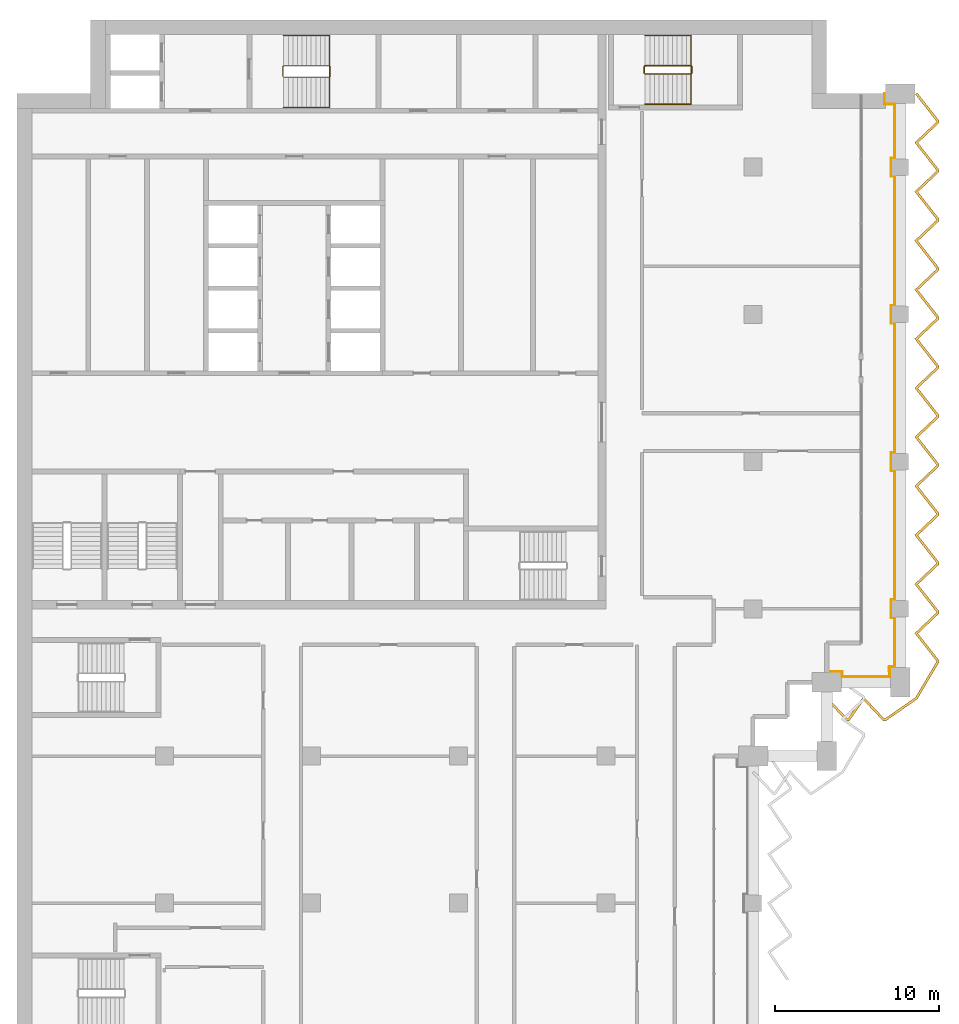
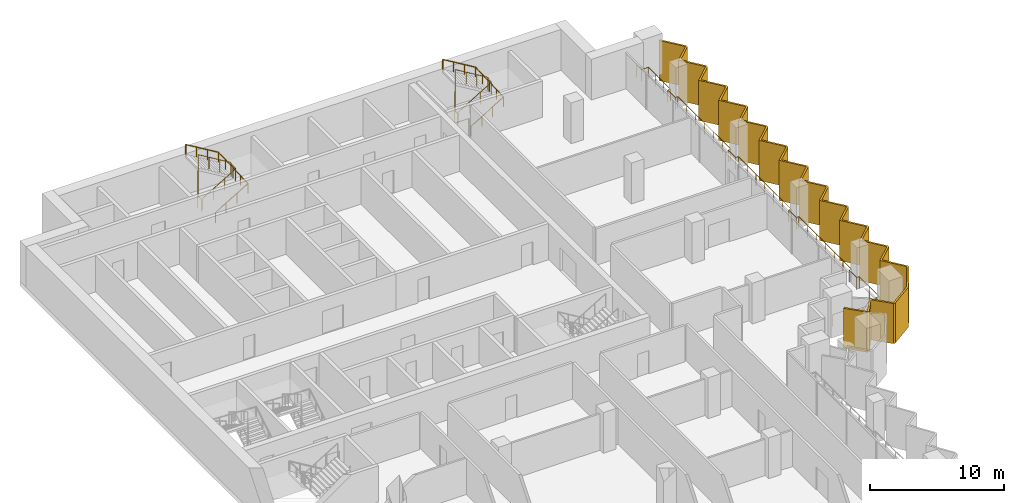
# One storey, part 19 of 19: 5 railings, 1 shading device.
"""IFC4 building model written with IfcOpenShell, lengths in metres."""

import ifcopenshell
import ifcopenshell.guid

model = None  # the IFC model being written
_history = None  # IfcOwnerHistory: only IFC2X3 demands one
_inside = {}  # id of a spatial element -> (the spatial element, [elements in it])
_under = {}  # id of a project, library or spatial element -> (it, [spatial elements below it])
_declared = {}  # id of a project -> (the project, [libraries it declares])
_typed = {}  # id of a type object -> (the type object, [elements of that type])
_made_of = {}  # id of a material, layer set ... -> (it, [elements and type objects made of it])


def new_model(schema):
    """Start an empty IFC model of exactly this schema.

    Asked for "IFC4X3", IfcOpenShell would pick the latest addendum, in which some entities
    have other attributes; the version numbers below select the first issue.
    IFC2X3 requires an IfcOwnerHistory on every rooted entity: one is made here for all.
    """
    global model, _history
    if schema == "IFC4X3":
        model = ifcopenshell.file(schema_version=(4, 3, 0, 0))
    else:
        model = ifcopenshell.file(schema=schema)
    _inside.clear()
    _under.clear()
    _declared.clear()
    _typed.clear()
    _made_of.clear()
    _history = None
    if model.schema == "IFC2X3":
        org = make("IfcOrganization", Name="unknown")
        user = make(
            "IfcPersonAndOrganization",
            ThePerson=make("IfcPerson", FamilyName="unknown"),
            TheOrganization=org,
        )
        app = make(
            "IfcApplication",
            ApplicationDeveloper=org,
            Version="unknown",
            ApplicationFullName="unknown",
            ApplicationIdentifier="unknown",
        )
        _history = make(
            "IfcOwnerHistory",
            OwningUser=user,
            OwningApplication=app,
            ChangeAction="ADDED",
            CreationDate=0,
        )
    return model


def make(cls, **values):
    """One entity of the class cls with the attributes given. An attribute that is None is left unset."""
    return model.create_entity(
        cls, **{name: value for name, value in values.items() if value is not None}
    )


def rooted(cls, **values):
    """An entity with a GlobalId (a new one), such as an element, a storey or a relation."""
    return make(cls, GlobalId=ifcopenshell.guid.new(), OwnerHistory=_history, **values)


def si_unit(unit_type, name, prefix=None):
    """IfcSIUnit, for example si_unit("LENGTHUNIT", "METRE", prefix="MILLI")."""
    return make("IfcSIUnit", UnitType=unit_type, Prefix=prefix, Name=name)


def assignment(units):
    """IfcUnitAssignment: the units of a project."""
    return None if units is None else make("IfcUnitAssignment", Units=units)


def point(xyz):
    """IfcCartesianPoint."""
    return None if xyz is None else make("IfcCartesianPoint", Coordinates=xyz)


def direction(xyz):
    """IfcDirection."""
    return None if xyz is None else make("IfcDirection", DirectionRatios=xyz)


def frame(location, z_axis=None, x_axis=None):
    """IfcAxis2Placement3D, a coordinate frame: its origin and axes. An axis left out is left unset."""
    return make(
        "IfcAxis2Placement3D",
        Location=point(location),
        Axis=direction(z_axis),
        RefDirection=direction(x_axis),
    )


def frame_2d(location, x_axis=None):
    """IfcAxis2Placement2D, a coordinate frame in the plane: its origin and x axis."""
    return make(
        "IfcAxis2Placement2D", Location=point(location), RefDirection=direction(x_axis)
    )


def origin():
    """The frame at (0, 0, 0) with its axes left unset."""
    return frame((0.0, 0.0, 0.0))


def origin_2d():
    """The frame at (0, 0) in the plane with its x axis left unset."""
    return frame_2d((0.0, 0.0))


def place(relative_to, where):
    """IfcLocalPlacement: puts the frame where relative to a parent placement (None: the world)."""
    return make(
        "IfcLocalPlacement", PlacementRelTo=relative_to, RelativePlacement=where
    )


def context(
    kind, dimensions, precision=None, world=None, true_north=None, identifier=None
):
    """IfcGeometricRepresentationContext, for example the 3D "Model" context."""
    return make(
        "IfcGeometricRepresentationContext",
        ContextIdentifier=identifier,
        ContextType=kind,
        CoordinateSpaceDimension=dimensions,
        Precision=precision,
        WorldCoordinateSystem=world,
        TrueNorth=true_north,
    )


def subcontext(parent, identifier, kind, view, scale=None):
    """IfcGeometricRepresentationSubContext, for example "Body" below "Model"."""
    return make(
        "IfcGeometricRepresentationSubContext",
        ContextIdentifier=identifier,
        ContextType=kind,
        ParentContext=parent,
        TargetScale=scale,
        TargetView=view,
    )


def project(units=None, contexts=None):
    """IfcProject with its units and contexts."""
    return rooted(
        "IfcProject",
        Name="project",
        RepresentationContexts=contexts,
        UnitsInContext=assignment(units),
    )


def spatial(cls, under=None, at=None, **own):
    """A site, building, storey or space (cls), placed at a placement, below another one or the project."""
    s = rooted(cls, ObjectPlacement=at, **own)
    if under is not None:
        _under.setdefault(under.id(), (under, []))[1].append(s)
    return s


def polyline(points):
    """IfcPolyline through the points."""
    return make("IfcPolyline", Points=[point(p) for p in points])


def profile(cls, at=None, kind="AREA", **sizes):
    """A parametric profile (cls). Its sizes go by their IFC names, for example OverallWidth=200.0."""
    return make(cls, ProfileType=kind, Position=at, **sizes)


def circle(**sizes):
    """IfcCircleProfileDef."""
    return profile("IfcCircleProfileDef", **sizes)


def outline(outer, holes=None, kind="AREA"):
    """IfcArbitraryClosedProfileDef: a profile drawn as a closed curve; with holes, ...WithVoids."""
    if holes is None:
        return make("IfcArbitraryClosedProfileDef", ProfileType=kind, OuterCurve=outer)
    return make(
        "IfcArbitraryProfileDefWithVoids",
        ProfileType=kind,
        OuterCurve=outer,
        InnerCurves=holes,
    )


def extrude(swept, where, along, depth):
    """IfcExtrudedAreaSolid: the profile swept, set in the frame where, extruded along a direction by depth."""
    return make(
        "IfcExtrudedAreaSolid",
        SweptArea=swept,
        Position=where,
        ExtrudedDirection=direction(along),
        Depth=depth,
    )


def shape(context_of_items, identifier, shape_type, items):
    """IfcShapeRepresentation: the items that make up one representation, for example the "Body"."""
    return make(
        "IfcShapeRepresentation",
        ContextOfItems=context_of_items,
        RepresentationIdentifier=identifier,
        RepresentationType=shape_type,
        Items=items,
    )


def material(Name=None, Category=None):
    """IfcMaterial."""
    return make("IfcMaterial", Name=Name, Category=Category)


def layer(
    of_material, thickness, ventilated=None, Name=None, Category=None, Priority=None
):
    """IfcMaterialLayer: one layer of a wall or slab, of a material (None: an air gap)."""
    return make(
        "IfcMaterialLayer",
        Material=of_material,
        LayerThickness=thickness,
        IsVentilated=ventilated,
        Name=Name,
        Category=Category,
        Priority=Priority,
    )


def layer_set(layers, Name=None):
    """IfcMaterialLayerSet."""
    return make("IfcMaterialLayerSet", MaterialLayers=layers, LayerSetName=Name)


def made_of(thing, what):
    """Note that an element or type object is made of a material, layer set ...; save() writes the relation."""
    if what is not None:
        _made_of.setdefault(what.id(), (what, []))[1].append(thing)
    return thing


def type_object(cls, material=None, **own):
    """A type object (cls), such as IfcWallType, which elements share."""
    return made_of(rooted(cls, **own), material)


def element(
    cls,
    number,
    at=None,
    inside=None,
    cuts=None,
    type_object=None,
    material=None,
    context=None,
    identifier="Body",
    shape_type=None,
    held_by="IfcProductDefinitionShape",
    body=None,
    shapes=None,
    **own,
):
    """One element of the class cls, such as IfcWall. Its Tag is "e" and its number.

    at: its placement. inside: the storey or other place that contains it. cuts: it is an
    opening in that element (IfcRelVoidsElement). A single representation is given by context,
    identifier, shape_type and body (its items); several are given by shapes. held_by: the class
    of the entity that holds the representations. save() writes the other relations.
    """
    e = rooted(cls, Tag="e%d" % number, ObjectPlacement=at, **own)
    if body is not None:
        shapes = [shape(context, identifier, shape_type, body)]
    if shapes is not None:
        e.Representation = make(held_by, Representations=shapes)
    if inside is not None:
        _inside.setdefault(inside.id(), (inside, []))[1].append(e)
    if cuts is not None:
        rooted(
            "IfcRelVoidsElement", RelatingBuildingElement=cuts, RelatedOpeningElement=e
        )
    if type_object is not None:
        _typed.setdefault(type_object.id(), (type_object, []))[1].append(e)
    return made_of(e, material)


def aggregate(whole, parts):
    """IfcRelAggregates: a whole, such as a stair, and the parts it consists of."""
    return rooted("IfcRelAggregates", RelatingObject=whole, RelatedObjects=parts)


def save(model, path):
    """Write the relations noted so far, then the file.

    IfcRelAggregates (storeys below a building ...), IfcRelContainedInSpatialStructure (elements
    in a storey), IfcRelDefinesByType, IfcRelAssociatesMaterial and IfcRelDeclares: one each for
    every whole, place, type object, material and project.
    """
    for whole, parts in _under.values():
        aggregate(whole, parts)
    for where, things in _inside.values():
        rooted(
            "IfcRelContainedInSpatialStructure",
            RelatedElements=things,
            RelatingStructure=where,
        )
    for kind, things in _typed.values():
        rooted("IfcRelDefinesByType", RelatedObjects=things, RelatingType=kind)
    for what, things in _made_of.values():
        rooted("IfcRelAssociatesMaterial", RelatedObjects=things, RelatingMaterial=what)
    for by, libraries in _declared.values():
        rooted("IfcRelDeclares", RelatingContext=by, RelatedDefinitions=libraries)
    model.write(path)


model = new_model("IFC4")

# Units and contexts
model_context = context("Model", 3, precision=1e-05, world=origin(), true_north=direction((0.0, 1.0)))
body_context = subcontext(model_context, "Body", "Model", "MODEL_VIEW")
ifc_project = project(units=[si_unit("LENGTHUNIT", "METRE"), si_unit("AREAUNIT", "SQUARE_METRE"), si_unit("VOLUMEUNIT", "CUBIC_METRE"), si_unit("PLANEANGLEUNIT", "RADIAN"), si_unit("MASSUNIT", "GRAM", prefix="KILO")], contexts=[model_context])

# Site, building, storey
site_placement = place(None, origin())
site = spatial("IfcSite", under=ifc_project, at=site_placement, CompositionType="ELEMENT")
building_placement = place(site_placement, origin())
building = spatial("IfcBuilding", under=site, at=building_placement, Name="Hunhe Ridgeline Campus", CompositionType="ELEMENT")
storey_placement = place(building_placement, frame((0.0, 0.0, 216.10009765625)))
storey = spatial("IfcBuildingStorey", under=building, at=storey_placement, Name="L55", CompositionType="ELEMENT", Elevation=216.10009765625)

# Railing
ifc_material_1 = material(Name="Steel Q355", Category="steel")
railing_type_1 = type_object("IfcRailingType", Name="Loggia guard 1100 Steel Q355", PredefinedType="GUARDRAIL", material=ifc_material_1)
railing_1_placement = place(storey_placement, frame((49.5, 59.169921875, 0.0)))
element("IfcRailing", 1, at=railing_1_placement, inside=storey, type_object=railing_type_1, Name="Loggia guard 2", PredefinedType="GUARDRAIL", context=body_context, shape_type="SweptSolid", body=[
    extrude(circle(Radius=0.02392578125, at=origin_2d()), frame((0.0, 0.0, 1.076171875), z_axis=(1.0, 0.0, 0.0), x_axis=(0.0, 1.0, 0.0)), (0.0, 0.0, 1.0), 0.949951171875),
    extrude(circle(Radius=0.02392578125, at=origin_2d()), frame((0.949951171875, 0.0, 1.076171875), z_axis=(0.0, -1.0, 0.0), x_axis=(1.0, 0.0, 0.0)), (0.0, 0.0, 1.0), 0.31982421875),
    extrude(circle(Radius=0.02392578125, at=origin_2d()), frame((0.949951171875, -0.31982421875, 1.076171875), z_axis=(1.0, 0.0, 0.0), x_axis=(0.0, 1.0, 0.0)), (0.0, 0.0, 1.0), 2.900146484375),
    extrude(circle(Radius=0.02392578125, at=origin_2d()), frame((3.85009765625, -0.31982421875, 1.076171875), z_axis=(0.0, 1.0, 0.0), x_axis=(-1.0, 0.0, 0.0)), (0.0, 0.0, 1.0), 0.619873046875),
    extrude(circle(Radius=0.02392578125, at=origin_2d()), frame((3.85009765625, 0.300048828125, 1.076171875), z_axis=(-0.066572895244, -0.99778156408, 0.0), x_axis=(0.99778156408, -0.066572895244, 0.0)), (0.0, 0.0, 1.0), 0.30078125),
    extrude(circle(Radius=0.02392578125, at=origin_2d()), frame((3.830078125, 0.0, 1.076171875), z_axis=(0.0, 1.0, 0.0), x_axis=(-1.0, 0.0, 0.0)), (0.0, 0.0, 1.0), 0.280029296875),
    extrude(circle(Radius=0.02392578125, at=origin_2d()), frame((3.830078125, 0.280029296875, 1.076171875), z_axis=(1.0, 0.0, 0.0), x_axis=(0.0, 1.0, 0.0)), (0.0, 0.0, 1.0), 0.31982421875),
    extrude(circle(Radius=0.02392578125, at=origin_2d()), frame((4.14990234375, 0.280029296875, 1.076171875), z_axis=(0.0, 1.0, 0.0), x_axis=(-1.0, 0.0, 0.0)), (0.0, 0.0, 1.0), 3.0),
    extrude(circle(Radius=0.02392578125, at=origin_2d()), frame((4.14990234375, 3.280029296875, 1.076171875), z_axis=(-1.0, 0.0, 0.0), x_axis=(0.0, -1.0, 0.0)), (0.0, 0.0, 1.0), 0.219970703125),
    extrude(circle(Radius=0.02392578125, at=origin_2d()), frame((3.929931640625, 3.280029296875, 1.076171875), z_axis=(0.0, 1.0, 0.0), x_axis=(-1.0, 0.0, 0.0)), (0.0, 0.0, 1.0), 1.10009765625),
    extrude(circle(Radius=0.02392578125, at=origin_2d()), frame((3.929931640625, 4.380126953125, 1.076171875), z_axis=(1.0, 0.0, 0.0), x_axis=(0.0, 1.0, 0.0)), (0.0, 0.0, 1.0), 0.219970703125),
    extrude(circle(Radius=0.02392578125, at=origin_2d()), frame((4.14990234375, 4.380126953125, 1.076171875), z_axis=(0.0, 1.0, 0.0), x_axis=(-1.0, 0.0, 0.0)), (0.0, 0.0, 1.0), 7.89990234375),
    extrude(circle(Radius=0.02392578125, at=origin_2d()), frame((4.14990234375, 12.280029296875, 1.076171875), z_axis=(-1.0, 0.0, 0.0), x_axis=(0.0, -1.0, 0.0)), (0.0, 0.0, 1.0), 0.219970703125),
    extrude(circle(Radius=0.02392578125, at=origin_2d()), frame((3.929931640625, 12.280029296875, 1.076171875), z_axis=(0.0, 1.0, 0.0), x_axis=(-1.0, 0.0, 0.0)), (0.0, 0.0, 1.0), 1.10009765625),
    extrude(circle(Radius=0.02392578125, at=origin_2d()), frame((3.929931640625, 13.380126953125, 1.076171875), z_axis=(1.0, 0.0, 0.0), x_axis=(0.0, 1.0, 0.0)), (0.0, 0.0, 1.0), 0.219970703125),
    extrude(circle(Radius=0.02392578125, at=origin_2d()), frame((4.14990234375, 13.380126953125, 1.076171875), z_axis=(0.0, 1.0, 0.0), x_axis=(-1.0, 0.0, 0.0)), (0.0, 0.0, 1.0), 7.89990234375),
    extrude(circle(Radius=0.02392578125, at=origin_2d()), frame((4.14990234375, 21.280029296875, 1.076171875), z_axis=(-1.0, 0.0, 0.0), x_axis=(0.0, -1.0, 0.0)), (0.0, 0.0, 1.0), 0.219970703125),
    extrude(circle(Radius=0.02392578125, at=origin_2d()), frame((3.929931640625, 21.280029296875, 1.076171875), z_axis=(0.0, 1.0, 0.0), x_axis=(-1.0, 0.0, 0.0)), (0.0, 0.0, 1.0), 1.10009765625),
    extrude(circle(Radius=0.02392578125, at=origin_2d()), frame((3.929931640625, 22.380126953125, 1.076171875), z_axis=(1.0, 0.0, 0.0), x_axis=(0.0, 1.0, 0.0)), (0.0, 0.0, 1.0), 0.219970703125),
    extrude(circle(Radius=0.02392578125, at=origin_2d()), frame((4.14990234375, 22.380126953125, 1.076171875), z_axis=(0.0, 1.0, 0.0), x_axis=(-1.0, 0.0, 0.0)), (0.0, 0.0, 1.0), 7.89990234375),
    extrude(circle(Radius=0.02392578125, at=origin_2d()), frame((4.14990234375, 30.280029296875, 1.076171875), z_axis=(-1.0, 0.0, 0.0), x_axis=(0.0, -1.0, 0.0)), (0.0, 0.0, 1.0), 0.219970703125),
    extrude(circle(Radius=0.02392578125, at=origin_2d()), frame((3.929931640625, 30.280029296875, 1.076171875), z_axis=(0.0, 1.0, 0.0), x_axis=(-1.0, 0.0, 0.0)), (0.0, 0.0, 1.0), 1.10009765625),
    extrude(circle(Radius=0.02392578125, at=origin_2d()), frame((3.929931640625, 31.380126953125, 1.076171875), z_axis=(1.0, 0.0, 0.0), x_axis=(0.0, 1.0, 0.0)), (0.0, 0.0, 1.0), 0.219970703125),
    extrude(circle(Radius=0.02392578125, at=origin_2d()), frame((4.14990234375, 31.380126953125, 1.076171875), z_axis=(0.0, 1.0, 0.0), x_axis=(-1.0, 0.0, 0.0)), (0.0, 0.0, 1.0), 3.300048828125),
    extrude(circle(Radius=0.02392578125, at=origin_2d()), frame((4.14990234375, 34.68017578125, 1.076171875), z_axis=(-1.0, 0.0, 0.0), x_axis=(0.0, -1.0, 0.0)), (0.0, 0.0, 1.0), 0.619873046875),
    extrude(circle(Radius=0.02392578125, at=origin_2d()), frame((3.530029296875, 34.68017578125, 1.076171875), z_axis=(0.0, 1.0, 0.0), x_axis=(-1.0, 0.0, 0.0)), (0.0, 0.0, 1.0), 0.64990234375),
    extrude(circle(Radius=0.02099609375, at=origin_2d()), origin(), (0.0, 0.0, 1.0), 1.052001953125),
    extrude(circle(Radius=0.02099609375, at=origin_2d()), frame((0.949951171875, 0.0, 0.0)), (0.0, 0.0, 1.0), 1.052001953125),
    extrude(circle(Radius=0.02099609375, at=origin_2d()), frame((0.949951171875, -0.31982421875, 0.0)), (0.0, 0.0, 1.0), 1.052001953125),
    extrude(circle(Radius=0.02099609375, at=origin_2d()), frame((2.39990234375, -0.31982421875, 0.0)), (0.0, 0.0, 1.0), 1.052001953125),
    extrude(circle(Radius=0.02099609375, at=origin_2d()), frame((3.85009765625, -0.31982421875, 0.0)), (0.0, 0.0, 1.0), 1.052001953125),
    extrude(circle(Radius=0.02099609375, at=origin_2d()), frame((3.85009765625, 0.300048828125, 0.0)), (0.0, 0.0, 1.0), 1.052001953125),
    extrude(circle(Radius=0.02099609375, at=origin_2d()), frame((3.830078125, 0.0, 0.0)), (0.0, 0.0, 1.0), 1.052001953125),
    extrude(circle(Radius=0.02099609375, at=origin_2d()), frame((3.830078125, 0.280029296875, 0.0)), (0.0, 0.0, 1.0), 1.052001953125),
    extrude(circle(Radius=0.02099609375, at=origin_2d()), frame((4.14990234375, 0.280029296875, 0.0)), (0.0, 0.0, 1.0), 1.052001953125),
    extrude(circle(Radius=0.02099609375, at=origin_2d()), frame((4.14990234375, 1.780029296875, 0.0)), (0.0, 0.0, 1.0), 1.052001953125),
    extrude(circle(Radius=0.02099609375, at=origin_2d()), frame((4.14990234375, 3.280029296875, 0.0)), (0.0, 0.0, 1.0), 1.052001953125),
    extrude(circle(Radius=0.02099609375, at=origin_2d()), frame((3.929931640625, 3.280029296875, 0.0)), (0.0, 0.0, 1.0), 1.052001953125),
    extrude(circle(Radius=0.02099609375, at=origin_2d()), frame((3.929931640625, 4.380126953125, 0.0)), (0.0, 0.0, 1.0), 1.052001953125),
    extrude(circle(Radius=0.02099609375, at=origin_2d()), frame((4.14990234375, 4.380126953125, 0.0)), (0.0, 0.0, 1.0), 1.052001953125),
    extrude(circle(Radius=0.02099609375, at=origin_2d()), frame((4.14990234375, 5.69677734375, 0.0)), (0.0, 0.0, 1.0), 1.052001953125),
    extrude(circle(Radius=0.02099609375, at=origin_2d()), frame((4.14990234375, 7.013427734375, 0.0)), (0.0, 0.0, 1.0), 1.052001953125),
    extrude(circle(Radius=0.02099609375, at=origin_2d()), frame((4.14990234375, 8.330078125, 0.0)), (0.0, 0.0, 1.0), 1.052001953125),
    extrude(circle(Radius=0.02099609375, at=origin_2d()), frame((4.14990234375, 9.646728515625, 0.0)), (0.0, 0.0, 1.0), 1.052001953125),
    extrude(circle(Radius=0.02099609375, at=origin_2d()), frame((4.14990234375, 10.96337890625, 0.0)), (0.0, 0.0, 1.0), 1.052001953125),
    extrude(circle(Radius=0.02099609375, at=origin_2d()), frame((4.14990234375, 12.280029296875, 0.0)), (0.0, 0.0, 1.0), 1.052001953125),
    extrude(circle(Radius=0.02099609375, at=origin_2d()), frame((3.929931640625, 12.280029296875, 0.0)), (0.0, 0.0, 1.0), 1.052001953125),
    extrude(circle(Radius=0.02099609375, at=origin_2d()), frame((3.929931640625, 13.380126953125, 0.0)), (0.0, 0.0, 1.0), 1.052001953125),
    extrude(circle(Radius=0.02099609375, at=origin_2d()), frame((4.14990234375, 13.380126953125, 0.0)), (0.0, 0.0, 1.0), 1.052001953125),
    extrude(circle(Radius=0.02099609375, at=origin_2d()), frame((4.14990234375, 14.69677734375, 0.0)), (0.0, 0.0, 1.0), 1.052001953125),
    extrude(circle(Radius=0.02099609375, at=origin_2d()), frame((4.14990234375, 16.013427734375, 0.0)), (0.0, 0.0, 1.0), 1.052001953125),
    extrude(circle(Radius=0.02099609375, at=origin_2d()), frame((4.14990234375, 17.330078125, 0.0)), (0.0, 0.0, 1.0), 1.052001953125),
    extrude(circle(Radius=0.02099609375, at=origin_2d()), frame((4.14990234375, 18.646728515625, 0.0)), (0.0, 0.0, 1.0), 1.052001953125),
    extrude(circle(Radius=0.02099609375, at=origin_2d()), frame((4.14990234375, 19.96337890625, 0.0)), (0.0, 0.0, 1.0), 1.052001953125),
    extrude(circle(Radius=0.02099609375, at=origin_2d()), frame((4.14990234375, 21.280029296875, 0.0)), (0.0, 0.0, 1.0), 1.052001953125),
    extrude(circle(Radius=0.02099609375, at=origin_2d()), frame((3.929931640625, 21.280029296875, 0.0)), (0.0, 0.0, 1.0), 1.052001953125),
    extrude(circle(Radius=0.02099609375, at=origin_2d()), frame((3.929931640625, 22.380126953125, 0.0)), (0.0, 0.0, 1.0), 1.052001953125),
    extrude(circle(Radius=0.02099609375, at=origin_2d()), frame((4.14990234375, 22.380126953125, 0.0)), (0.0, 0.0, 1.0), 1.052001953125),
    extrude(circle(Radius=0.02099609375, at=origin_2d()), frame((4.14990234375, 23.69677734375, 0.0)), (0.0, 0.0, 1.0), 1.052001953125),
    extrude(circle(Radius=0.02099609375, at=origin_2d()), frame((4.14990234375, 25.013427734375, 0.0)), (0.0, 0.0, 1.0), 1.052001953125),
    extrude(circle(Radius=0.02099609375, at=origin_2d()), frame((4.14990234375, 26.330078125, 0.0)), (0.0, 0.0, 1.0), 1.052001953125),
    extrude(circle(Radius=0.02099609375, at=origin_2d()), frame((4.14990234375, 27.646728515625, 0.0)), (0.0, 0.0, 1.0), 1.052001953125),
    extrude(circle(Radius=0.02099609375, at=origin_2d()), frame((4.14990234375, 28.96337890625, 0.0)), (0.0, 0.0, 1.0), 1.052001953125),
    extrude(circle(Radius=0.02099609375, at=origin_2d()), frame((4.14990234375, 30.280029296875, 0.0)), (0.0, 0.0, 1.0), 1.052001953125),
    extrude(circle(Radius=0.02099609375, at=origin_2d()), frame((3.929931640625, 30.280029296875, 0.0)), (0.0, 0.0, 1.0), 1.052001953125),
    extrude(circle(Radius=0.02099609375, at=origin_2d()), frame((3.929931640625, 31.380126953125, 0.0)), (0.0, 0.0, 1.0), 1.052001953125),
    extrude(circle(Radius=0.02099609375, at=origin_2d()), frame((4.14990234375, 31.380126953125, 0.0)), (0.0, 0.0, 1.0), 1.052001953125),
    extrude(circle(Radius=0.02099609375, at=origin_2d()), frame((4.14990234375, 32.480224609375, 0.0)), (0.0, 0.0, 1.0), 1.052001953125),
    extrude(circle(Radius=0.02099609375, at=origin_2d()), frame((4.14990234375, 33.580078125, 0.0)), (0.0, 0.0, 1.0), 1.052001953125),
    extrude(circle(Radius=0.02099609375, at=origin_2d()), frame((4.14990234375, 34.68017578125, 0.0)), (0.0, 0.0, 1.0), 1.052001953125),
    extrude(circle(Radius=0.02099609375, at=origin_2d()), frame((3.530029296875, 34.68017578125, 0.0)), (0.0, 0.0, 1.0), 1.052001953125),
    extrude(circle(Radius=0.02099609375, at=origin_2d()), frame((3.530029296875, 35.330078125, 0.0)), (0.0, 0.0, 1.0), 1.052001953125),
])

# Shading device
ifc_material_2 = material(Name="Concrete C50", Category="concrete")
ifc_layer = layer(ifc_material_2, 0.14990234375)
ifc_layer_set = layer_set([ifc_layer], Name="Sawtooth concrete fin 150 Concrete C50")
shading_device_type = type_object("IfcShadingDeviceType", Name="Sawtooth concrete fin 150 Concrete C50", PredefinedType="USERDEFINED", material=ifc_layer_set)
shading_device_placement = place(storey_placement, frame((0.0, 0.0, -0.9501953125)))
element("IfcShadingDevice", 2, at=shading_device_placement, inside=storey, type_object=shading_device_type, Name="Concrete fin screen 3", ObjectType="FIN", PredefinedType="USERDEFINED", context=body_context, shape_type="SweptSolid", body=[
    extrude(outline(polyline([(49.554443359375, 57.576416015625), (49.445556640625, 57.4736328125), (50.69384765625, 56.14990234375), (50.88525390625, 56.14990234375), (51.7587890625, 57.40625), (52.94384765625, 56.14990234375), (53.11962890625, 56.14990234375), (55.03125, 57.47265625), (56.35009765625, 59.70556640625), (56.35009765625, 59.8720703125), (55.076416015625, 61.492431640625), (56.35009765625, 62.69384765625), (56.35009765625, 62.8720703125), (55.076416015625, 64.492431640625), (56.35009765625, 65.69384765625), (56.35009765625, 65.8720703125), (55.076416015625, 67.492431640625), (56.35009765625, 68.69384765625), (56.35009765625, 68.8720703125), (55.076416015625, 70.492431640625), (56.35009765625, 71.69384765625), (56.35009765625, 71.8720703125), (55.076416015625, 73.492431640625), (56.35009765625, 74.69384765625), (56.35009765625, 74.8720703125), (55.076416015625, 76.492431640625), (56.35009765625, 77.69384765625), (56.35009765625, 77.8720703125), (55.076416015625, 79.492431640625), (56.35009765625, 80.69384765625), (56.35009765625, 80.8720703125), (55.076416015625, 82.492431640625), (56.35009765625, 83.69384765625), (56.35009765625, 83.8720703125), (55.076416015625, 85.492431640625), (56.35009765625, 86.69384765625), (56.35009765625, 86.8720703125), (55.076416015625, 88.492431640625), (56.35009765625, 89.69384765625), (56.35009765625, 89.8720703125), (55.076416015625, 91.492431640625), (56.35009765625, 92.69384765625), (56.35009765625, 92.8720703125), (55.033935546875, 94.54638671875), (54.916015625, 94.45361328125), (56.199951171875, 92.820068359375), (56.199951171875, 92.758544921875), (54.873779296875, 91.507568359375), (56.199951171875, 89.820068359375), (56.199951171875, 89.758544921875), (54.873779296875, 88.507568359375), (56.199951171875, 86.820068359375), (56.199951171875, 86.758544921875), (54.873779296875, 85.507568359375), (56.199951171875, 83.820068359375), (56.199951171875, 83.758544921875), (54.873779296875, 82.507568359375), (56.199951171875, 80.820068359375), (56.199951171875, 80.758544921875), (54.873779296875, 79.507568359375), (56.199951171875, 77.820068359375), (56.199951171875, 77.758544921875), (54.873779296875, 76.507568359375), (56.199951171875, 74.820068359375), (56.199951171875, 74.758544921875), (54.873779296875, 73.507568359375), (56.199951171875, 71.820068359375), (56.199951171875, 71.758544921875), (54.873779296875, 70.507568359375), (56.199951171875, 68.820068359375), (56.199951171875, 68.758544921875), (54.873779296875, 67.507568359375), (56.199951171875, 65.820068359375), (56.199951171875, 65.758544921875), (54.873779296875, 64.507568359375), (56.199951171875, 62.820068359375), (56.199951171875, 62.758544921875), (54.873779296875, 61.507568359375), (56.199951171875, 59.820068359375), (56.199951171875, 59.74658203125), (54.918701171875, 57.577392578125), (53.07275390625, 56.300048828125), (53.008544921875, 56.300048828125), (51.7412109375, 57.6435546875), (50.806884765625, 56.300048828125), (50.758544921875, 56.300048828125), (49.554443359375, 57.576416015625)])), origin(), (0.0, 0.0, 1.0), 3.650146484375),
])

# Railings
ifc_material_3 = material(Name="Stainless steel balustrade", Category="steel")
railing_type_2 = type_object("IfcRailingType", Name="Stair guard 1100 stainless", PredefinedType="GUARDRAIL", material=ifc_material_3)
railing_2_placement = place(storey_placement, frame((16.300048828125, 95.5, 0.16796875)))
element("IfcRailing", 3, at=railing_2_placement, inside=storey, type_object=railing_type_2, Name="L55 stair S1 guard", PredefinedType="GUARDRAIL", context=body_context, shape_type="SweptSolid", body=[
    extrude(circle(Radius=0.02392578125, at=origin_2d()), frame((0.0, 0.0, 1.076171875), z_axis=(0.857242210791, 0.0, 0.514913383045), x_axis=(0.0, 1.0, 0.0)), (0.0, 0.0, 1.0), 3.266357421875),
    extrude(circle(Radius=0.02392578125, at=origin_2d()), frame((2.800048828125, 0.0, 2.7578125), z_axis=(0.705375805398, 0.708833529934, 0.0), x_axis=(-0.708833529934, 0.705375805398, 0.0)), (0.0, 0.0, 1.0), 0.070556640625),
    extrude(circle(Radius=0.02392578125, at=origin_2d()), frame((2.849853515625, 0.050048828125, 2.7578125), z_axis=(0.0, 1.0, 0.0), x_axis=(-1.0, 0.0, 0.0)), (0.0, 0.0, 1.0), 0.599853515625),
    extrude(circle(Radius=0.02392578125, at=origin_2d()), frame((2.849853515625, 0.64990234375, 2.7578125), z_axis=(-0.273006030465, 0.27434429532, 0.922064485248), x_axis=(-0.708833529934, -0.705375805398, 0.0)), (0.0, 0.0, 1.0), 0.182373046875),
    extrude(circle(Radius=0.02392578125, at=origin_2d()), frame((2.800048828125, 0.699951171875, 2.92626953125), z_axis=(-0.857242210791, 0.0, 0.514913383045), x_axis=(0.0, -1.0, 0.0)), (0.0, 0.0, 1.0), 3.266357421875),
    extrude(circle(Radius=0.02392578125, at=origin_2d()), frame((0.0, 0.699951171875, 4.60791015625), z_axis=(-0.013524414389, -0.013524414389, -0.999817073484), x_axis=(0.707106781187, -0.707106781187, 0.0)), (0.0, 0.0, 1.0), 3.70068359375),
    extrude(circle(Radius=0.02392578125, at=origin_2d()), frame((-0.050048828125, 0.64990234375, 0.908203125), z_axis=(0.0, -1.0, 0.0), x_axis=(1.0, 0.0, 0.0)), (0.0, 0.0, 1.0), 0.599853515625),
    extrude(circle(Radius=0.02099609375, at=origin_2d()), origin(), (0.0, 0.0, 1.0), 1.052001953125),
    extrude(circle(Radius=0.02099609375, at=origin_2d()), frame((0.933349609375, 0.0, 0.560546875)), (0.0, 0.0, 1.0), 1.052001953125),
    extrude(circle(Radius=0.02099609375, at=origin_2d()), frame((1.86669921875, 0.0, 1.121337890625)), (0.0, 0.0, 1.0), 1.052001953125),
    extrude(circle(Radius=0.02099609375, at=origin_2d()), frame((2.800048828125, 0.0, 1.681884765625)), (0.0, 0.0, 1.0), 1.052001953125),
    extrude(circle(Radius=0.02099609375, at=origin_2d()), frame((2.849853515625, 0.050048828125, 1.681884765625)), (0.0, 0.0, 1.0), 1.052001953125),
    extrude(circle(Radius=0.02099609375, at=origin_2d()), frame((2.849853515625, 0.64990234375, 1.681884765625)), (0.0, 0.0, 1.0), 1.052001953125),
    extrude(circle(Radius=0.02099609375, at=origin_2d()), frame((2.800048828125, 0.699951171875, 1.85009765625)), (0.0, 0.0, 1.0), 1.052001953125),
    extrude(circle(Radius=0.02099609375, at=origin_2d()), frame((1.86669921875, 0.699951171875, 2.41064453125)), (0.0, 0.0, 1.0), 1.052001953125),
    extrude(circle(Radius=0.02099609375, at=origin_2d()), frame((0.933349609375, 0.699951171875, 2.971435546875)), (0.0, 0.0, 1.0), 1.052001953125),
    extrude(circle(Radius=0.02099609375, at=origin_2d()), frame((0.0, 0.699951171875, 3.531982421875)), (0.0, 0.0, 1.0), 1.052001953125),
    extrude(circle(Radius=0.02099609375, at=origin_2d()), frame((-0.012451171875, 0.6875, 2.60693359375)), (0.0, 0.0, 1.0), 1.052001953125),
    extrude(circle(Radius=0.02099609375, at=origin_2d()), frame((-0.02490234375, 0.6748046875, 1.68212890625)), (0.0, 0.0, 1.0), 1.052001953125),
    extrude(circle(Radius=0.02099609375, at=origin_2d()), frame((-0.03759765625, 0.662353515625, 0.757080078125)), (0.0, 0.0, 1.0), 1.052001953125),
    extrude(circle(Radius=0.02099609375, at=origin_2d()), frame((-0.050048828125, 0.64990234375, -0.16796875)), (0.0, 0.0, 1.0), 1.052001953125),
    extrude(circle(Radius=0.02099609375, at=origin_2d()), frame((-0.050048828125, 0.050048828125, -0.16796875)), (0.0, 0.0, 1.0), 1.052001953125),
])
railing_3_placement = place(storey_placement, frame((38.39990234375, 95.699951171875, 0.16796875)))
element("IfcRailing", 4, at=railing_3_placement, inside=storey, type_object=railing_type_2, Name="L55 stair E1 guard", PredefinedType="GUARDRAIL", context=body_context, shape_type="SweptSolid", body=[
    extrude(circle(Radius=0.02392578125, at=origin_2d()), frame((0.0, 0.0, 1.076171875), z_axis=(0.857242210791, 0.0, 0.514913383045), x_axis=(0.0, 1.0, 0.0)), (0.0, 0.0, 1.0), 3.266357421875),
    extrude(circle(Radius=0.02392578125, at=origin_2d()), frame((2.800048828125, 0.0, 2.7578125), z_axis=(0.707106781187, 0.707106781187, 0.0), x_axis=(-0.707106781187, 0.707106781187, 0.0)), (0.0, 0.0, 1.0), 0.07080078125),
    extrude(circle(Radius=0.02392578125, at=origin_2d()), frame((2.85009765625, 0.050048828125, 2.7578125), z_axis=(0.0, 1.0, 0.0), x_axis=(-1.0, 0.0, 0.0)), (0.0, 0.0, 1.0), 0.39990234375),
    extrude(circle(Radius=0.02392578125, at=origin_2d()), frame((2.85009765625, 0.449951171875, 2.7578125), z_axis=(-0.274243871929, 0.274243871929, 0.92172696468), x_axis=(-0.707106781187, -0.707106781187, 0.0)), (0.0, 0.0, 1.0), 0.1826171875),
    extrude(circle(Radius=0.02392578125, at=origin_2d()), frame((2.800048828125, 0.5, 2.92626953125), z_axis=(-0.857242210791, 0.0, 0.514913383045), x_axis=(0.0, -1.0, 0.0)), (0.0, 0.0, 1.0), 3.266357421875),
    extrude(circle(Radius=0.02392578125, at=origin_2d()), frame((0.0, 0.5, 4.60791015625), z_axis=(-0.013458453615, -0.013524426427, -0.999817963389), x_axis=(0.708833529934, -0.705375805398, 0.0)), (0.0, 0.0, 1.0), 3.70068359375),
    extrude(circle(Radius=0.02392578125, at=origin_2d()), frame((-0.0498046875, 0.449951171875, 0.908203125), z_axis=(0.0, -1.0, 0.0), x_axis=(1.0, 0.0, 0.0)), (0.0, 0.0, 1.0), 0.39990234375),
    extrude(circle(Radius=0.02099609375, at=origin_2d()), origin(), (0.0, 0.0, 1.0), 1.052001953125),
    extrude(circle(Radius=0.02099609375, at=origin_2d()), frame((0.933349609375, 0.0, 0.560546875)), (0.0, 0.0, 1.0), 1.052001953125),
    extrude(circle(Radius=0.02099609375, at=origin_2d()), frame((1.86669921875, 0.0, 1.121337890625)), (0.0, 0.0, 1.0), 1.052001953125),
    extrude(circle(Radius=0.02099609375, at=origin_2d()), frame((2.800048828125, 0.0, 1.681884765625)), (0.0, 0.0, 1.0), 1.052001953125),
    extrude(circle(Radius=0.02099609375, at=origin_2d()), frame((2.85009765625, 0.050048828125, 1.681884765625)), (0.0, 0.0, 1.0), 1.052001953125),
    extrude(circle(Radius=0.02099609375, at=origin_2d()), frame((2.85009765625, 0.449951171875, 1.681884765625)), (0.0, 0.0, 1.0), 1.052001953125),
    extrude(circle(Radius=0.02099609375, at=origin_2d()), frame((2.800048828125, 0.5, 1.85009765625)), (0.0, 0.0, 1.0), 1.052001953125),
    extrude(circle(Radius=0.02099609375, at=origin_2d()), frame((1.86669921875, 0.5, 2.41064453125)), (0.0, 0.0, 1.0), 1.052001953125),
    extrude(circle(Radius=0.02099609375, at=origin_2d()), frame((0.933349609375, 0.5, 2.971435546875)), (0.0, 0.0, 1.0), 1.052001953125),
    extrude(circle(Radius=0.02099609375, at=origin_2d()), frame((0.0, 0.5, 3.531982421875)), (0.0, 0.0, 1.0), 1.052001953125),
    extrude(circle(Radius=0.02099609375, at=origin_2d()), frame((-0.012451171875, 0.487548828125, 2.60693359375)), (0.0, 0.0, 1.0), 1.052001953125),
    extrude(circle(Radius=0.02099609375, at=origin_2d()), frame((-0.02490234375, 0.47509765625, 1.68212890625)), (0.0, 0.0, 1.0), 1.052001953125),
    extrude(circle(Radius=0.02099609375, at=origin_2d()), frame((-0.037353515625, 0.46240234375, 0.757080078125)), (0.0, 0.0, 1.0), 1.052001953125),
    extrude(circle(Radius=0.02099609375, at=origin_2d()), frame((-0.0498046875, 0.449951171875, -0.16796875)), (0.0, 0.0, 1.0), 1.052001953125),
    extrude(circle(Radius=0.02099609375, at=origin_2d()), frame((-0.0498046875, 0.050048828125, -0.16796875)), (0.0, 0.0, 1.0), 1.052001953125),
])
ifc_material_4 = material(Name="Stainless steel handrail", Category="steel")
railing_type_3 = type_object("IfcRailingType", Name="Stair handrail 900 stainless", PredefinedType="HANDRAIL", material=ifc_material_4)
railing_4_placement = place(storey_placement, frame((16.300048828125, 93.64990234375, 0.16796875)))
element("IfcRailing", 5, at=railing_4_placement, inside=storey, type_object=railing_type_3, Name="L55 stair S1 handrail", PredefinedType="HANDRAIL", context=body_context, shape_type="SweptSolid", body=[
    extrude(circle(Radius=0.02392578125, at=origin_2d()), frame((0.0, 0.0, 0.8759765625), z_axis=(0.857242210791, 0.0, 0.514913383045), x_axis=(0.0, 1.0, 0.0)), (0.0, 0.0, 1.0), 3.266357421875),
    extrude(circle(Radius=0.02392578125, at=origin_2d()), frame((2.800048828125, 0.0, 2.5576171875), z_axis=(0.0, 0.999270074432, 0.038201025428), x_axis=(-1.0, 0.0, 0.0)), (0.0, 0.0, 1.0), 4.4033203125),
    extrude(circle(Radius=0.02392578125, at=origin_2d()), frame((2.800048828125, 4.400146484375, 2.72607421875), z_axis=(-0.857242210791, 0.0, 0.514913383045), x_axis=(0.0, -1.0, 0.0)), (0.0, 0.0, 1.0), 3.266357421875),
    extrude(circle(Radius=0.02099609375, at=origin_2d()), origin(), (0.0, 0.0, 1.0), 0.851806640625),
    extrude(circle(Radius=0.02099609375, at=origin_2d()), frame((0.933349609375, 0.0, 0.560546875)), (0.0, 0.0, 1.0), 0.851806640625),
    extrude(circle(Radius=0.02099609375, at=origin_2d()), frame((1.86669921875, 0.0, 1.121337890625)), (0.0, 0.0, 1.0), 0.851806640625),
    extrude(circle(Radius=0.02099609375, at=origin_2d()), frame((2.800048828125, 0.0, 1.681884765625)), (0.0, 0.0, 1.0), 0.851806640625),
    extrude(circle(Radius=0.02099609375, at=origin_2d()), frame((2.800048828125, 1.10009765625, 1.723876953125)), (0.0, 0.0, 1.0), 0.851806640625),
    extrude(circle(Radius=0.02099609375, at=origin_2d()), frame((2.800048828125, 2.2001953125, 1.76611328125)), (0.0, 0.0, 1.0), 0.851806640625),
    extrude(circle(Radius=0.02099609375, at=origin_2d()), frame((2.800048828125, 3.300048828125, 1.80810546875)), (0.0, 0.0, 1.0), 0.851806640625),
    extrude(circle(Radius=0.02099609375, at=origin_2d()), frame((2.800048828125, 4.400146484375, 1.85009765625)), (0.0, 0.0, 1.0), 0.851806640625),
    extrude(circle(Radius=0.02099609375, at=origin_2d()), frame((1.86669921875, 4.400146484375, 2.41064453125)), (0.0, 0.0, 1.0), 0.851806640625),
    extrude(circle(Radius=0.02099609375, at=origin_2d()), frame((0.933349609375, 4.400146484375, 2.971435546875)), (0.0, 0.0, 1.0), 0.851806640625),
    extrude(circle(Radius=0.02099609375, at=origin_2d()), frame((0.0, 4.400146484375, 3.531982421875)), (0.0, 0.0, 1.0), 0.851806640625),
])
railing_5_placement = place(storey_placement, frame((38.39990234375, 93.85009765625, 0.16796875)))
element("IfcRailing", 6, at=railing_5_placement, inside=storey, type_object=railing_type_3, Name="L55 stair E1 handrail", PredefinedType="HANDRAIL", context=body_context, shape_type="SweptSolid", body=[
    extrude(circle(Radius=0.02392578125, at=origin_2d()), frame((0.0, 0.0, 0.8759765625), z_axis=(0.857242210791, 0.0, 0.514913383045), x_axis=(0.0, 1.0, 0.0)), (0.0, 0.0, 1.0), 3.266357421875),
    extrude(circle(Radius=0.02392578125, at=origin_2d()), frame((2.800048828125, 0.0, 2.5576171875), z_axis=(0.0, 0.999198916169, 0.040019069537), x_axis=(-1.0, 0.0, 0.0)), (0.0, 0.0, 1.0), 4.203369140625),
    extrude(circle(Radius=0.02392578125, at=origin_2d()), frame((2.800048828125, 4.199951171875, 2.72607421875), z_axis=(-0.857242210791, 0.0, 0.514913383045), x_axis=(0.0, -1.0, 0.0)), (0.0, 0.0, 1.0), 3.266357421875),
    extrude(circle(Radius=0.02099609375, at=origin_2d()), origin(), (0.0, 0.0, 1.0), 0.851806640625),
    extrude(circle(Radius=0.02099609375, at=origin_2d()), frame((0.933349609375, 0.0, 0.560546875)), (0.0, 0.0, 1.0), 0.851806640625),
    extrude(circle(Radius=0.02099609375, at=origin_2d()), frame((1.86669921875, 0.0, 1.121337890625)), (0.0, 0.0, 1.0), 0.851806640625),
    extrude(circle(Radius=0.02099609375, at=origin_2d()), frame((2.800048828125, 0.0, 1.681884765625)), (0.0, 0.0, 1.0), 0.851806640625),
    extrude(circle(Radius=0.02099609375, at=origin_2d()), frame((2.800048828125, 1.050048828125, 1.723876953125)), (0.0, 0.0, 1.0), 0.851806640625),
    extrude(circle(Radius=0.02099609375, at=origin_2d()), frame((2.800048828125, 2.10009765625, 1.76611328125)), (0.0, 0.0, 1.0), 0.851806640625),
    extrude(circle(Radius=0.02099609375, at=origin_2d()), frame((2.800048828125, 3.14990234375, 1.80810546875)), (0.0, 0.0, 1.0), 0.851806640625),
    extrude(circle(Radius=0.02099609375, at=origin_2d()), frame((2.800048828125, 4.199951171875, 1.85009765625)), (0.0, 0.0, 1.0), 0.851806640625),
    extrude(circle(Radius=0.02099609375, at=origin_2d()), frame((1.86669921875, 4.199951171875, 2.41064453125)), (0.0, 0.0, 1.0), 0.851806640625),
    extrude(circle(Radius=0.02099609375, at=origin_2d()), frame((0.933349609375, 4.199951171875, 2.971435546875)), (0.0, 0.0, 1.0), 0.851806640625),
    extrude(circle(Radius=0.02099609375, at=origin_2d()), frame((0.0, 4.199951171875, 3.531982421875)), (0.0, 0.0, 1.0), 0.851806640625),
])

save(model, "model.ifc")
